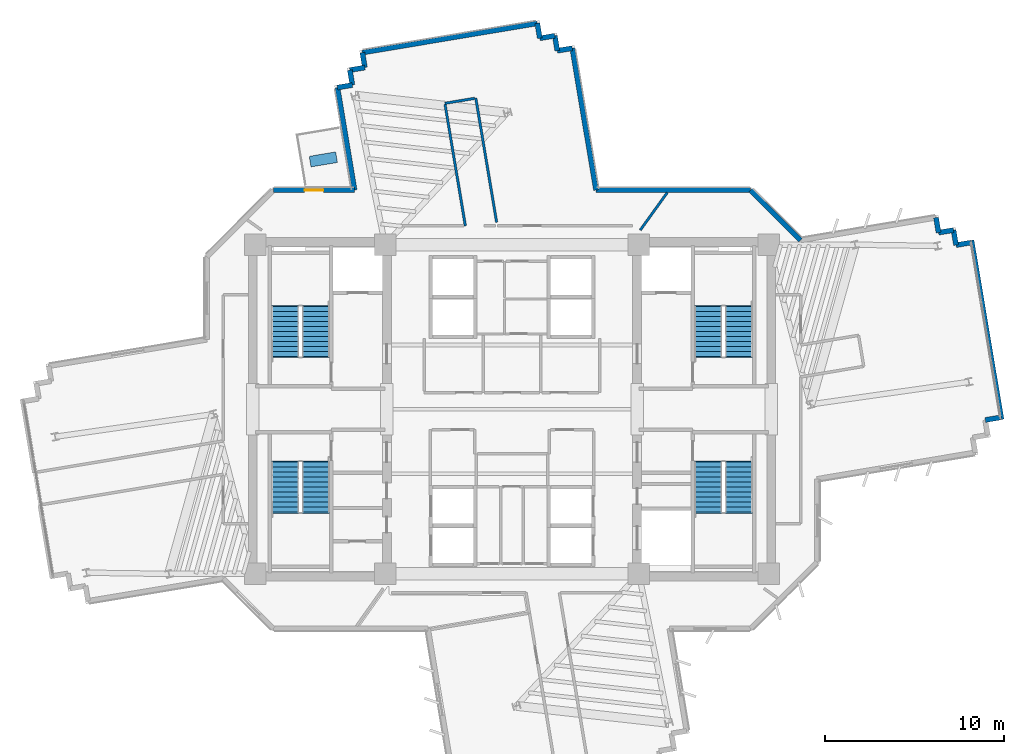
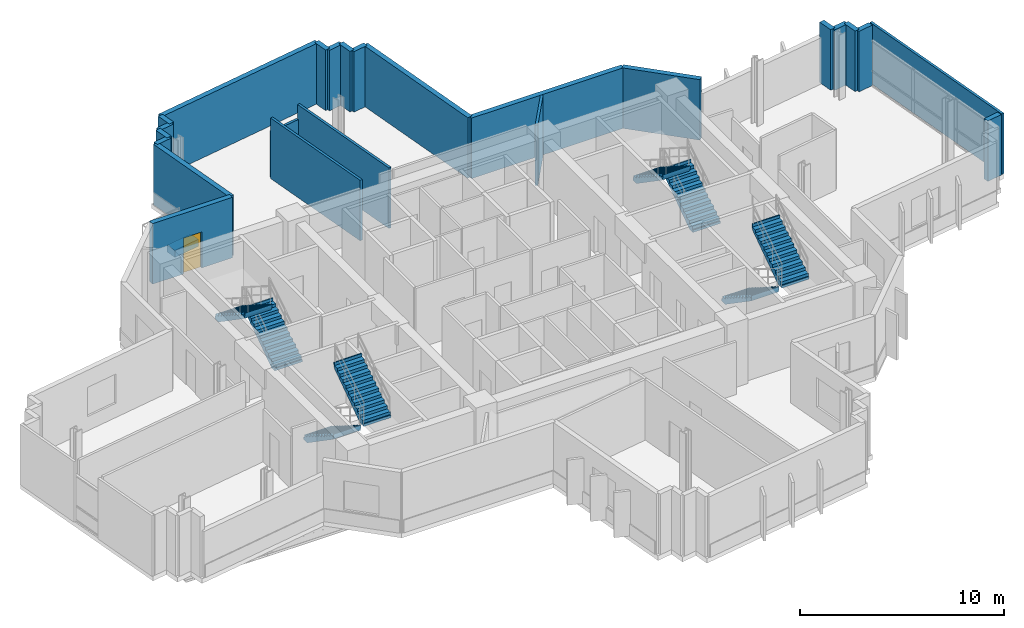
# One storey, part 11 of 15: 24 walls, 8 stair flights, 1 discrete accessory, 1 door, 1 opening, 4 elements without a shape of their own.
"""IFC4 building model written with IfcOpenShell, lengths in metres."""

from ifc_helpers import new_model, si_unit, direction, frame, frame_2d, origin, origin_2d, place, context, subcontext, project, spatial, polyline, rectangle, outline, extrude, source, transform, mapped, material, layer, layer_set, type_object, element, fill, aggregate, save


model = new_model("IFC4")

# Units and contexts
model_context = context("Model", 3, precision=1e-05, world=origin(), true_north=direction((0.0, 1.0)))
body_context = subcontext(model_context, "Body", "Model", "MODEL_VIEW")
ifc_project = project(units=[si_unit("LENGTHUNIT", "METRE"), si_unit("AREAUNIT", "SQUARE_METRE"), si_unit("VOLUMEUNIT", "CUBIC_METRE"), si_unit("PLANEANGLEUNIT", "RADIAN"), si_unit("MASSUNIT", "GRAM", prefix="KILO")], contexts=[model_context])

# Site, building, storey
site_placement = place(None, origin())
site = spatial("IfcSite", under=ifc_project, at=site_placement, CompositionType="ELEMENT")
building_placement = place(site_placement, origin())
building = spatial("IfcBuilding", under=site, at=building_placement, Name="Zahravan Cultural Tower", CompositionType="ELEMENT")
storey_placement = place(building_placement, frame((0.0, 0.0, 143.39990234375)))
storey = spatial("IfcBuildingStorey", under=building, at=storey_placement, Name="L32", CompositionType="ELEMENT", Elevation=143.39990234375)

# Wall, opening, door
ifc_material_1 = material(Name="Precast concrete C40/50", Category="concrete")
ifc_layer_1 = layer(ifc_material_1, 0.280029296875)
ifc_layer_set_1 = layer_set([ifc_layer_1], Name="Precast concrete C40/50")
wall_type_1 = type_object("IfcWallType", Name="EW-TC-280", PredefinedType="SOLIDWALL", material=ifc_layer_set_1)
wall_1_placement = place(storey_placement, frame((22.657958984375, 39.260009765625, 0.0), z_axis=(0.0, 0.0, 1.0), x_axis=(1.0, 0.0, 0.0)))
wall_1 = element("IfcWall", 1, at=wall_1_placement, inside=storey, type_object=wall_type_1, Name="L32 Exterior Masonry Frame Wall 39", PredefinedType="SOLIDWALL", context=body_context, shape_type="SweptSolid", body=[
    extrude(rectangle(XDim=4.537841796875, YDim=0.280029296875, at=frame_2d((2.26904296875, 0.0))), origin(), (0.0, 0.0, 1.0), 3.6201171875),
])
opening_placement = place(wall_1_placement, frame((1.743896484375, 0.0, 0.0)))
opening = element("IfcOpeningElement", 2, at=opening_placement, cuts=wall_1, Name="Opening D-L32-TR-NW", PredefinedType="OPENING", context=body_context, shape_type="SweptSolid", body=[
    extrude(rectangle(XDim=1.050048828125, YDim=2.14990234375, at=frame_2d((0.52490234375, 1.074951171875))), frame((0.0, 0.14990234375, 0.0), z_axis=(0.0, -1.0, 0.0), x_axis=(1.0, 0.0, 0.0)), (0.0, 0.0, 1.0), 0.300048828125),
])
ifc_material_2 = material(Name="Anodised bronze-aluminium mullion", Category="aluminium")
door_type = type_object("IfcDoorType", Name="DR-TERR-1050", OperationType="NOTDEFINED", PredefinedType="DOOR", material=ifc_material_2)
shared_shape_1 = source(origin(), body_context, "Body", "SweptSolid", [
    extrude(rectangle(XDim=1.050048828125, YDim=2.14990234375, at=frame_2d((0.52490234375, 1.074951171875))), frame((0.0, 0.02490234375, 0.0), z_axis=(0.0, -1.0, 0.0), x_axis=(1.0, 0.0, 0.0)), (0.0, 0.0, 1.0), 0.050048828125),
])
door_placement = place(opening_placement, origin())
door = element("IfcDoor", 3, at=door_placement, inside=storey, type_object=door_type, Name="L32 Terrace Access Door NW", OperationType="SINGLE_SWING_LEFT", OverallHeight=2.14990234375, OverallWidth=1.050048828125, PredefinedType="DOOR", context=body_context, shape_type="MappedRepresentation", body=[
    mapped(shared_shape_1, transform((0.0, 0.0, 0.0), x_axis=(1.0, 0.0, 0.0), y_axis=(0.0, 1.0, 0.0), z_axis=(0.0, 0.0, 1.0), scale=1.0)),
])
fill(opening, door)

# Walls
shared_shape_2 = source(origin(), body_context, "Body", "SweptSolid", [
    extrude(rectangle(XDim=0.85009765625, YDim=0.280029296875, at=frame_2d((0.425048828125, 0.0))), origin(), (0.0, 0.0, 1.0), 3.6201171875),
])
for number, where, z_axis, x_axis, name in (
    (4, (59.7158203125, 37.72119140625, 0.0), (0.0, 0.0, 1.0), (0.164864732418, -0.986316186628, 0.0), "L32 Exterior Masonry Frame Wall 02"),
    (5, (59.85595703125, 36.8828125, 0.0), (0.0, 0.0, 1.0), (0.986269444653, 0.16514412658, 0.0), "L32 Exterior Masonry Frame Wall 03"),
    (6, (60.6943359375, 37.023193359375, 0.0), (0.0, 0.0, 1.0), (0.16514412658, -0.986269444653, 0.0), "L32 Exterior Masonry Frame Wall 04"),
    (7, (60.834716796875, 36.184814453125, 0.0), (0.0, 0.0, 1.0), (0.986269444653, 0.16514412658, 0.0), "L32 Exterior Masonry Frame Wall 05"),
    (8, (63.310302734375, 26.541259765625, 0.0), (0.0, 0.0, 1.0), (-0.986269444653, -0.16514412658, 0.0), "L32 Exterior Masonry Frame Wall 06"),
    (9, (26.236083984375, 44.9951171875, 0.0), (0.0, 0.0, 1.0), (0.986269444653, 0.16514412658, 0.0), "L32 Exterior Masonry Frame Wall 41"),
    (10, (27.074462890625, 45.135498046875, 0.0), (0.0, 0.0, 1.0), (-0.16514412658, 0.986269444653, 0.0), "L32 Exterior Masonry Frame Wall 42"),
    (11, (26.93408203125, 45.973876953125, 0.0), (0.0, 0.0, 1.0), (0.986269444653, 0.16514412658, 0.0), "L32 Exterior Masonry Frame Wall 43"),
    (12, (37.416015625, 48.58984375, 0.0), (0.0, 0.0, 1.0), (0.16514412658, -0.986269444653, 0.0), "L32 Exterior Masonry Frame Wall 46"),
    (13, (37.556396484375, 47.75146484375, 0.0), (0.0, 0.0, 1.0), (0.986316186628, 0.164864732418, 0.0), "L32 Exterior Masonry Frame Wall 47"),
    (14, (38.534912109375, 47.053466796875, 0.0), (0.0, 0.0, 1.0), (0.986316186628, 0.164864732418, 0.0), "L32 Exterior Masonry Frame Wall 49"),
):
    element("IfcWall", number, at=place(storey_placement, frame(where, z_axis=z_axis, x_axis=x_axis)), inside=storey, type_object=wall_type_1, Name=name, PredefinedType="SOLIDWALL", context=body_context, shape_type="MappedRepresentation", body=[
        mapped(shared_shape_2, transform((0.0, 0.0, 0.0), x_axis=(1.0, 0.0, 0.0), y_axis=(0.0, 1.0, 0.0), z_axis=(0.0, 0.0, 1.0), scale=1.0)),
    ])
shared_shape_3 = source(origin(), body_context, "Body", "SweptSolid", [
    extrude(rectangle(XDim=0.849853515625, YDim=0.280029296875, at=frame_2d((0.4248046875, 0.0))), origin(), (0.0, 0.0, 1.0), 3.6201171875),
])
for number, where, z_axis, x_axis, name in (
    (15, (27.7724609375, 46.1142578125, 0.0), (0.0, 0.0, 1.0), (-0.165190918979, 0.986261608442, 0.0), "L32 Exterior Masonry Frame Wall 44"),
    (16, (38.394775390625, 47.8916015625, 0.0), (0.0, 0.0, 1.0), (0.164911450083, -0.986308376539, 0.0), "L32 Exterior Masonry Frame Wall 48"),
):
    element("IfcWall", number, at=place(storey_placement, frame(where, z_axis=z_axis, x_axis=x_axis)), inside=storey, type_object=wall_type_1, Name=name, PredefinedType="SOLIDWALL", context=body_context, shape_type="MappedRepresentation", body=[
        mapped(shared_shape_3, transform((0.0, 0.0, 0.0), x_axis=(1.0, 0.0, 0.0), y_axis=(0.0, 1.0, 0.0), z_axis=(0.0, 0.0, 1.0), scale=1.0)),
    ])
shared_shape_4 = source(origin(), body_context, "Body", "SweptSolid", [
    extrude(rectangle(XDim=9.919921875, YDim=0.280029296875, at=frame_2d((4.9599609375, 0.0))), origin(), (0.0, 0.0, 1.0), 3.6201171875),
])
wall_2_placement = place(storey_placement, frame((27.632080078125, 46.952392578125, 0.0), z_axis=(0.0, 0.0, 1.0), x_axis=(0.986282616944, 0.165065440096, 0.0)))
element("IfcWall", 17, at=wall_2_placement, inside=storey, type_object=wall_type_1, Name="L32 Exterior Masonry Frame Wall 45", PredefinedType="SOLIDWALL", context=body_context, shape_type="MappedRepresentation", body=[
    mapped(shared_shape_4, transform((0.0, 0.0, 0.0), x_axis=(1.0, 0.0, 0.0), y_axis=(0.0, 1.0, 0.0), z_axis=(0.0, 0.0, 1.0), scale=1.0)),
])
shared_shape_5 = source(origin(), body_context, "Body", "SweptSolid", [
    extrude(rectangle(XDim=8.64111328125, YDim=0.280029296875, at=frame_2d((4.320556640625, 0.0))), origin(), (0.0, 0.0, 1.0), 3.6201171875),
])
wall_3_placement = place(storey_placement, frame((40.700927734375, 39.260009765625, 0.0), z_axis=(0.0, 0.0, 1.0), x_axis=(1.0, 0.0, 0.0)))
element("IfcWall", 18, at=wall_3_placement, inside=storey, type_object=wall_type_1, Name="L32 Exterior Masonry Frame Wall 51", PredefinedType="SOLIDWALL", context=body_context, shape_type="MappedRepresentation", body=[
    mapped(shared_shape_5, transform((0.0, 0.0, 0.0), x_axis=(1.0, 0.0, 0.0), y_axis=(0.0, 1.0, 0.0), z_axis=(0.0, 0.0, 1.0), scale=1.0)),
])
shared_shape_6 = source(origin(), body_context, "Body", "SweptSolid", [
    extrude(rectangle(XDim=5.81494140625, YDim=0.280029296875, at=frame_2d((2.907470703125, 0.0))), origin(), (0.0, 0.0, 1.0), 3.6201171875),
])
wall_4_placement = place(storey_placement, frame((27.19580078125, 39.260009765625, 0.0), z_axis=(0.0, 0.0, 1.0), x_axis=(-0.165045758581, 0.986285910664, 0.0)))
element("IfcWall", 19, at=wall_4_placement, inside=storey, type_object=wall_type_1, Name="L32 Exterior Masonry Frame Wall 40", PredefinedType="SOLIDWALL", context=body_context, shape_type="MappedRepresentation", body=[
    mapped(shared_shape_6, transform((0.0, 0.0, 0.0), x_axis=(1.0, 0.0, 0.0), y_axis=(0.0, 1.0, 0.0), z_axis=(0.0, 0.0, 1.0), scale=1.0)),
])
shared_shape_7 = source(origin(), body_context, "Body", "SweptSolid", [
    extrude(rectangle(XDim=8.0439453125, YDim=0.280029296875, at=frame_2d((4.02197265625, 0.0))), origin(), (0.0, 0.0, 1.0), 3.6201171875),
])
wall_5_placement = place(storey_placement, frame((39.373291015625, 47.193603515625, 0.0), z_axis=(0.0, 0.0, 1.0), x_axis=(0.165048626668, -0.986285430712, 0.0)))
element("IfcWall", 20, at=wall_5_placement, inside=storey, type_object=wall_type_1, Name="L32 Exterior Masonry Frame Wall 50", PredefinedType="SOLIDWALL", context=body_context, shape_type="MappedRepresentation", body=[
    mapped(shared_shape_7, transform((0.0, 0.0, 0.0), x_axis=(1.0, 0.0, 0.0), y_axis=(0.0, 1.0, 0.0), z_axis=(0.0, 0.0, 1.0), scale=1.0)),
])
shared_shape_8 = source(origin(), body_context, "Body", "SweptSolid", [
    extrude(rectangle(XDim=3.96728515625, YDim=0.280029296875, at=frame_2d((1.983642578125, 0.0))), origin(), (0.0, 0.0, 1.0), 3.6201171875),
])
wall_6_placement = place(storey_placement, frame((49.342041015625, 39.260009765625, 0.0), z_axis=(0.0, 0.0, 1.0), x_axis=(0.707076011326, -0.707137549708, 0.0)))
element("IfcWall", 21, at=wall_6_placement, inside=storey, type_object=wall_type_1, Name="L32 Exterior Masonry Frame Wall 52", PredefinedType="SOLIDWALL", context=body_context, shape_type="MappedRepresentation", body=[
    mapped(shared_shape_8, transform((0.0, 0.0, 0.0), x_axis=(1.0, 0.0, 0.0), y_axis=(0.0, 1.0, 0.0), z_axis=(0.0, 0.0, 1.0), scale=1.0)),
])
ifc_material_3 = material(Name="Gypsum plasterboard partition")
ifc_layer_2 = layer(ifc_material_3, 0.139892578125)
ifc_layer_set_2 = layer_set([ifc_layer_2], Name="Gypsum plasterboard partition")
wall_type_2 = type_object("IfcWallType", Name="W-PART-140", PredefinedType="PARTITIONING", material=ifc_layer_set_2)
shared_shape_9 = source(origin(), body_context, "Body", "SweptSolid", [
    extrude(rectangle(XDim=7.041259765625, YDim=0.139892578125, at=frame_2d((3.5205078125, 0.0))), origin(), (0.0, 0.0, 1.0), 3.6201171875),
])
wall_7_placement = place(storey_placement, frame((35.1416015625, 37.45947265625, 0.0), z_axis=(0.0, 0.0, 1.0), x_axis=(-0.165703306215, 0.98617565084, 0.0)))
element("IfcWall", 22, at=wall_7_placement, inside=storey, type_object=wall_type_2, Name="L32 Interior Wall 107", PredefinedType="PARTITIONING", context=body_context, shape_type="MappedRepresentation", body=[
    mapped(shared_shape_9, transform((0.0, 0.0, 0.0), x_axis=(1.0, 0.0, 0.0), y_axis=(0.0, 1.0, 0.0), z_axis=(0.0, 0.0, 1.0), scale=1.0)),
])
shared_shape_10 = source(origin(), body_context, "Body", "SweptSolid", [
    extrude(rectangle(XDim=6.90283203125, YDim=0.139892578125, at=frame_2d((3.451416015625, 0.0))), origin(), (0.0, 0.0, 1.0), 3.6201171875),
])
wall_8_placement = place(storey_placement, frame((32.25390625, 44.068603515625, 0.0), z_axis=(0.0, 0.0, 1.0), x_axis=(0.164708688009, -0.986342257076, 0.0)))
element("IfcWall", 23, at=wall_8_placement, inside=storey, type_object=wall_type_2, Name="L32 Interior Wall 109", PredefinedType="PARTITIONING", context=body_context, shape_type="MappedRepresentation", body=[
    mapped(shared_shape_10, transform((0.0, 0.0, 0.0), x_axis=(1.0, 0.0, 0.0), y_axis=(0.0, 1.0, 0.0), z_axis=(0.0, 0.0, 1.0), scale=1.0)),
])
shared_shape_11 = source(origin(), body_context, "Body", "SweptSolid", [
    extrude(rectangle(XDim=2.58203125, YDim=0.139892578125, at=frame_2d((1.291015625, 0.0))), origin(), (0.0, 0.0, 1.0), 3.6201171875),
])
wall_9_placement = place(storey_placement, frame((44.680419921875, 39.114990234375, 0.0), z_axis=(0.0, 0.0, 1.0), x_axis=(-0.584533864389, -0.811369312572, 0.0)))
element("IfcWall", 24, at=wall_9_placement, inside=storey, type_object=wall_type_2, Name="L32 Interior Wall 111", PredefinedType="PARTITIONING", context=body_context, shape_type="MappedRepresentation", body=[
    mapped(shared_shape_11, transform((0.0, 0.0, 0.0), x_axis=(1.0, 0.0, 0.0), y_axis=(0.0, 1.0, 0.0), z_axis=(0.0, 0.0, 1.0), scale=1.0)),
])
shared_shape_12 = source(origin(), body_context, "Body", "SweptSolid", [
    extrude(rectangle(XDim=10.16015625, YDim=0.139892578125, at=frame_2d((5.080078125, 0.0))), origin(), (0.0, 0.0, 1.0), 3.6201171875),
])
wall_10_placement = place(storey_placement, frame((61.771484375, 36.46337890625, 0.0), z_axis=(0.0, 0.0, 1.0), x_axis=(0.165057484264, -0.986283948409, 0.0)))
element("IfcWall", 25, at=wall_10_placement, inside=storey, type_object=wall_type_2, Name="L32 Interior Wall 119", PredefinedType="PARTITIONING", context=body_context, shape_type="MappedRepresentation", body=[
    mapped(shared_shape_12, transform((0.0, 0.0, 0.0), x_axis=(1.0, 0.0, 0.0), y_axis=(0.0, 1.0, 0.0), z_axis=(0.0, 0.0, 1.0), scale=1.0)),
])
shared_shape_13 = source(origin(), body_context, "Body", "SweptSolid", [
    extrude(rectangle(XDim=1.677490234375, YDim=0.139892578125, at=frame_2d((0.8388671875, 0.0))), origin(), (0.0, 0.0, 1.0), 2.76220703125),
])
wall_11_placement = place(storey_placement, frame((33.90087890625, 44.390869140625, 0.0), z_axis=(0.0, 0.0, 1.0), x_axis=(-0.986164833546, -0.165767671991, 0.0)))
element("IfcWall", 26, at=wall_11_placement, inside=storey, type_object=wall_type_2, Name="L32 Interior Wall 108", PredefinedType="PARTITIONING", context=body_context, shape_type="MappedRepresentation", body=[
    mapped(shared_shape_13, transform((0.0, 0.0, 0.0), x_axis=(1.0, 0.0, 0.0), y_axis=(0.0, 1.0, 0.0), z_axis=(0.0, 0.0, 1.0), scale=1.0)),
])

# Stair, stair flights
ifc_material_4 = material(Name="Concrete C45/55", Category="concrete")
stair_type = type_object("IfcStairType", Name="STR-DL-1550-390", PredefinedType="HALF_TURN_STAIR", material=ifc_material_4)
stair_1_placement = place(storey_placement, origin())
stair_1 = element("IfcStair", 27, at=stair_1_placement, inside=storey, type_object=stair_type, Name="L32 West Core North Exit Stair ST-W1", PredefinedType="HALF_TURN_STAIR")
stair_flight_type = type_object("IfcStairFlightType", Name="FLG-DL-1550-390", PredefinedType="STRAIGHT", material=ifc_material_4)
stair_flight_1_placement = place(storey_placement, frame((25.02490234375, 29.949951171875, 0.0), z_axis=(0.0, 0.0, 1.0), x_axis=(0.0, 1.0, 0.0)))
stair_flight_1 = element("IfcStairFlight", 28, at=stair_flight_1_placement, type_object=stair_flight_type, Name="ST-W1 flight 1", NumberOfRisers=11, NumberOfTreads=10, PredefinedType="STRAIGHT", RiserHeight=0.177272727, TreadLength=0.28, context=body_context, shape_type="SweptSolid", body=[
    extrude(outline(polyline([(-0.06494140625, -0.139892578125), (-0.06494140625, 0.0), (0.0, 0.0), (0.0, 0.17724609375), (0.280029296875, 0.17724609375), (0.280029296875, 0.3544921875), (0.56005859375, 0.3544921875), (0.56005859375, 0.53173828125), (0.840087890625, 0.53173828125), (0.840087890625, 0.708984375), (1.1201171875, 0.708984375), (1.1201171875, 0.886474609375), (1.39990234375, 0.886474609375), (1.39990234375, 1.063720703125), (1.679931640625, 1.063720703125), (1.679931640625, 1.240966796875), (1.9599609375, 1.240966796875), (1.9599609375, 1.418212890625), (2.239990234375, 1.418212890625), (2.239990234375, 1.595458984375), (2.52001953125, 1.595458984375), (2.52001953125, 1.772705078125), (2.800048828125, 1.772705078125), (2.800048828125, 1.949951171875), (2.864990234375, 1.949951171875), (2.864990234375, 1.800048828125), (2.800048828125, 1.59521484375), (0.2802734375, -0.139892578125), (-0.06494140625, -0.139892578125)])), frame((0.0, 0.77490234375, 0.0), z_axis=(0.0, -1.0, 0.0), x_axis=(1.0, 0.0, 0.0)), (0.0, 0.0, 1.0), 1.550048828125),
])
stair_flight_2_placement = place(storey_placement, frame((23.324951171875, 32.75, 1.9501953125), z_axis=(0.0, 0.0, 1.0), x_axis=(0.0, -1.0, 0.0)))
stair_flight_2 = element("IfcStairFlight", 29, at=stair_flight_2_placement, type_object=stair_flight_type, Name="ST-W1 flight 2", NumberOfRisers=11, NumberOfTreads=10, PredefinedType="STRAIGHT", RiserHeight=0.177272727, TreadLength=0.28, context=body_context, shape_type="SweptSolid", body=[
    extrude(outline(polyline([(-0.06494140625, -0.139892578125), (-0.06494140625, 0.0), (0.0, 0.0), (0.0, 0.17724609375), (0.280029296875, 0.17724609375), (0.280029296875, 0.3544921875), (0.56005859375, 0.3544921875), (0.56005859375, 0.53173828125), (0.840087890625, 0.53173828125), (0.840087890625, 0.708984375), (1.1201171875, 0.708984375), (1.1201171875, 0.886474609375), (1.39990234375, 0.886474609375), (1.39990234375, 1.063720703125), (1.679931640625, 1.063720703125), (1.679931640625, 1.240966796875), (1.9599609375, 1.240966796875), (1.9599609375, 1.418212890625), (2.239990234375, 1.418212890625), (2.239990234375, 1.595458984375), (2.52001953125, 1.595458984375), (2.52001953125, 1.772705078125), (2.800048828125, 1.772705078125), (2.800048828125, 1.949951171875), (2.864990234375, 1.949951171875), (2.864990234375, 1.800048828125), (2.800048828125, 1.59521484375), (0.2802734375, -0.139892578125), (-0.06494140625, -0.139892578125)])), frame((0.0, 0.77490234375, 0.0), z_axis=(0.0, -1.0, 0.0), x_axis=(1.0, 0.0, 0.0)), (0.0, 0.0, 1.0), 1.550048828125),
])
aggregate(stair_1, [stair_flight_1, stair_flight_2])

stair_2_placement = place(storey_placement, origin())
stair_2 = element("IfcStair", 30, at=stair_2_placement, inside=storey, type_object=stair_type, Name="L32 West Core South Exit Stair ST-W2", PredefinedType="HALF_TURN_STAIR")
stair_flight_3_placement = place(storey_placement, frame((23.324951171875, 24.050048828125, 0.0), z_axis=(0.0, 0.0, 1.0), x_axis=(0.0, -1.0, 0.0)))
stair_flight_3 = element("IfcStairFlight", 31, at=stair_flight_3_placement, type_object=stair_flight_type, Name="ST-W2 flight 1", NumberOfRisers=11, NumberOfTreads=10, PredefinedType="STRAIGHT", RiserHeight=0.177272727, TreadLength=0.28, context=body_context, shape_type="SweptSolid", body=[
    extrude(outline(polyline([(-0.06494140625, -0.139892578125), (-0.06494140625, 0.0), (0.0, 0.0), (0.0, 0.17724609375), (0.280029296875, 0.17724609375), (0.280029296875, 0.3544921875), (0.56005859375, 0.3544921875), (0.56005859375, 0.53173828125), (0.840087890625, 0.53173828125), (0.840087890625, 0.708984375), (1.1201171875, 0.708984375), (1.1201171875, 0.886474609375), (1.39990234375, 0.886474609375), (1.39990234375, 1.063720703125), (1.679931640625, 1.063720703125), (1.679931640625, 1.240966796875), (1.9599609375, 1.240966796875), (1.9599609375, 1.418212890625), (2.239990234375, 1.418212890625), (2.239990234375, 1.595458984375), (2.52001953125, 1.595458984375), (2.52001953125, 1.772705078125), (2.800048828125, 1.772705078125), (2.800048828125, 1.949951171875), (2.864990234375, 1.949951171875), (2.864990234375, 1.800048828125), (2.800048828125, 1.59521484375), (0.2802734375, -0.139892578125), (-0.06494140625, -0.139892578125)])), frame((0.0, 0.77490234375, 0.0), z_axis=(0.0, -1.0, 0.0), x_axis=(1.0, 0.0, 0.0)), (0.0, 0.0, 1.0), 1.550048828125),
])
stair_flight_4_placement = place(storey_placement, frame((25.02490234375, 21.25, 1.9501953125), z_axis=(0.0, 0.0, 1.0), x_axis=(0.0, 1.0, 0.0)))
stair_flight_4 = element("IfcStairFlight", 32, at=stair_flight_4_placement, type_object=stair_flight_type, Name="ST-W2 flight 2", NumberOfRisers=11, NumberOfTreads=10, PredefinedType="STRAIGHT", RiserHeight=0.177272727, TreadLength=0.28, context=body_context, shape_type="SweptSolid", body=[
    extrude(outline(polyline([(-0.06494140625, -0.139892578125), (-0.06494140625, 0.0), (0.0, 0.0), (0.0, 0.17724609375), (0.280029296875, 0.17724609375), (0.280029296875, 0.3544921875), (0.56005859375, 0.3544921875), (0.56005859375, 0.53173828125), (0.840087890625, 0.53173828125), (0.840087890625, 0.708984375), (1.1201171875, 0.708984375), (1.1201171875, 0.886474609375), (1.39990234375, 0.886474609375), (1.39990234375, 1.063720703125), (1.679931640625, 1.063720703125), (1.679931640625, 1.240966796875), (1.9599609375, 1.240966796875), (1.9599609375, 1.418212890625), (2.239990234375, 1.418212890625), (2.239990234375, 1.595458984375), (2.52001953125, 1.595458984375), (2.52001953125, 1.772705078125), (2.800048828125, 1.772705078125), (2.800048828125, 1.949951171875), (2.864990234375, 1.949951171875), (2.864990234375, 1.800048828125), (2.800048828125, 1.59521484375), (0.2802734375, -0.139892578125), (-0.06494140625, -0.139892578125)])), frame((0.0, 0.77490234375, 0.0), z_axis=(0.0, -1.0, 0.0), x_axis=(1.0, 0.0, 0.0)), (0.0, 0.0, 1.0), 1.550048828125),
])
aggregate(stair_2, [stair_flight_3, stair_flight_4])

stair_3_placement = place(storey_placement, origin())
stair_3 = element("IfcStair", 33, at=stair_3_placement, inside=storey, type_object=stair_type, Name="L32 East Core North Exit Stair ST-E1", PredefinedType="HALF_TURN_STAIR")
stair_flight_5_placement = place(storey_placement, frame((48.675048828125, 29.949951171875, 0.0), z_axis=(0.0, 0.0, 1.0), x_axis=(0.0, 1.0, 0.0)))
stair_flight_5 = element("IfcStairFlight", 34, at=stair_flight_5_placement, type_object=stair_flight_type, Name="ST-E1 flight 1", NumberOfRisers=11, NumberOfTreads=10, PredefinedType="STRAIGHT", RiserHeight=0.177272727, TreadLength=0.28, context=body_context, shape_type="SweptSolid", body=[
    extrude(outline(polyline([(-0.06494140625, -0.139892578125), (-0.06494140625, 0.0), (0.0, 0.0), (0.0, 0.17724609375), (0.280029296875, 0.17724609375), (0.280029296875, 0.3544921875), (0.56005859375, 0.3544921875), (0.56005859375, 0.53173828125), (0.840087890625, 0.53173828125), (0.840087890625, 0.708984375), (1.1201171875, 0.708984375), (1.1201171875, 0.886474609375), (1.39990234375, 0.886474609375), (1.39990234375, 1.063720703125), (1.679931640625, 1.063720703125), (1.679931640625, 1.240966796875), (1.9599609375, 1.240966796875), (1.9599609375, 1.418212890625), (2.239990234375, 1.418212890625), (2.239990234375, 1.595458984375), (2.52001953125, 1.595458984375), (2.52001953125, 1.772705078125), (2.800048828125, 1.772705078125), (2.800048828125, 1.949951171875), (2.864990234375, 1.949951171875), (2.864990234375, 1.800048828125), (2.800048828125, 1.59521484375), (0.2802734375, -0.139892578125), (-0.06494140625, -0.139892578125)])), frame((0.0, 0.77490234375, 0.0), z_axis=(0.0, -1.0, 0.0), x_axis=(1.0, 0.0, 0.0)), (0.0, 0.0, 1.0), 1.550048828125),
])
stair_flight_6_placement = place(storey_placement, frame((46.97509765625, 32.75, 1.9501953125), z_axis=(0.0, 0.0, 1.0), x_axis=(0.0, -1.0, 0.0)))
stair_flight_6 = element("IfcStairFlight", 35, at=stair_flight_6_placement, type_object=stair_flight_type, Name="ST-E1 flight 2", NumberOfRisers=11, NumberOfTreads=10, PredefinedType="STRAIGHT", RiserHeight=0.177272727, TreadLength=0.28, context=body_context, shape_type="SweptSolid", body=[
    extrude(outline(polyline([(-0.06494140625, -0.139892578125), (-0.06494140625, 0.0), (0.0, 0.0), (0.0, 0.17724609375), (0.280029296875, 0.17724609375), (0.280029296875, 0.3544921875), (0.56005859375, 0.3544921875), (0.56005859375, 0.53173828125), (0.840087890625, 0.53173828125), (0.840087890625, 0.708984375), (1.1201171875, 0.708984375), (1.1201171875, 0.886474609375), (1.39990234375, 0.886474609375), (1.39990234375, 1.063720703125), (1.679931640625, 1.063720703125), (1.679931640625, 1.240966796875), (1.9599609375, 1.240966796875), (1.9599609375, 1.418212890625), (2.239990234375, 1.418212890625), (2.239990234375, 1.595458984375), (2.52001953125, 1.595458984375), (2.52001953125, 1.772705078125), (2.800048828125, 1.772705078125), (2.800048828125, 1.949951171875), (2.864990234375, 1.949951171875), (2.864990234375, 1.800048828125), (2.800048828125, 1.59521484375), (0.2802734375, -0.139892578125), (-0.06494140625, -0.139892578125)])), frame((0.0, 0.77490234375, 0.0), z_axis=(0.0, -1.0, 0.0), x_axis=(1.0, 0.0, 0.0)), (0.0, 0.0, 1.0), 1.550048828125),
])
aggregate(stair_3, [stair_flight_5, stair_flight_6])

stair_4_placement = place(storey_placement, origin())
stair_4 = element("IfcStair", 36, at=stair_4_placement, inside=storey, type_object=stair_type, Name="L32 East Core South Exit Stair ST-E2", PredefinedType="HALF_TURN_STAIR")
stair_flight_7_placement = place(storey_placement, frame((46.97509765625, 24.050048828125, 0.0), z_axis=(0.0, 0.0, 1.0), x_axis=(0.0, -1.0, 0.0)))
stair_flight_7 = element("IfcStairFlight", 37, at=stair_flight_7_placement, type_object=stair_flight_type, Name="ST-E2 flight 1", NumberOfRisers=11, NumberOfTreads=10, PredefinedType="STRAIGHT", RiserHeight=0.177272727, TreadLength=0.28, context=body_context, shape_type="SweptSolid", body=[
    extrude(outline(polyline([(-0.06494140625, -0.139892578125), (-0.06494140625, 0.0), (0.0, 0.0), (0.0, 0.17724609375), (0.280029296875, 0.17724609375), (0.280029296875, 0.3544921875), (0.56005859375, 0.3544921875), (0.56005859375, 0.53173828125), (0.840087890625, 0.53173828125), (0.840087890625, 0.708984375), (1.1201171875, 0.708984375), (1.1201171875, 0.886474609375), (1.39990234375, 0.886474609375), (1.39990234375, 1.063720703125), (1.679931640625, 1.063720703125), (1.679931640625, 1.240966796875), (1.9599609375, 1.240966796875), (1.9599609375, 1.418212890625), (2.239990234375, 1.418212890625), (2.239990234375, 1.595458984375), (2.52001953125, 1.595458984375), (2.52001953125, 1.772705078125), (2.800048828125, 1.772705078125), (2.800048828125, 1.949951171875), (2.864990234375, 1.949951171875), (2.864990234375, 1.800048828125), (2.800048828125, 1.59521484375), (0.2802734375, -0.139892578125), (-0.06494140625, -0.139892578125)])), frame((0.0, 0.77490234375, 0.0), z_axis=(0.0, -1.0, 0.0), x_axis=(1.0, 0.0, 0.0)), (0.0, 0.0, 1.0), 1.550048828125),
])
stair_flight_8_placement = place(storey_placement, frame((48.675048828125, 21.25, 1.9501953125), z_axis=(0.0, 0.0, 1.0), x_axis=(0.0, 1.0, 0.0)))
stair_flight_8 = element("IfcStairFlight", 38, at=stair_flight_8_placement, type_object=stair_flight_type, Name="ST-E2 flight 2", NumberOfRisers=11, NumberOfTreads=10, PredefinedType="STRAIGHT", RiserHeight=0.177272727, TreadLength=0.28, context=body_context, shape_type="SweptSolid", body=[
    extrude(outline(polyline([(-0.06494140625, -0.139892578125), (-0.06494140625, 0.0), (0.0, 0.0), (0.0, 0.17724609375), (0.280029296875, 0.17724609375), (0.280029296875, 0.3544921875), (0.56005859375, 0.3544921875), (0.56005859375, 0.53173828125), (0.840087890625, 0.53173828125), (0.840087890625, 0.708984375), (1.1201171875, 0.708984375), (1.1201171875, 0.886474609375), (1.39990234375, 0.886474609375), (1.39990234375, 1.063720703125), (1.679931640625, 1.063720703125), (1.679931640625, 1.240966796875), (1.9599609375, 1.240966796875), (1.9599609375, 1.418212890625), (2.239990234375, 1.418212890625), (2.239990234375, 1.595458984375), (2.52001953125, 1.595458984375), (2.52001953125, 1.772705078125), (2.800048828125, 1.772705078125), (2.800048828125, 1.949951171875), (2.864990234375, 1.949951171875), (2.864990234375, 1.800048828125), (2.800048828125, 1.59521484375), (0.2802734375, -0.139892578125), (-0.06494140625, -0.139892578125)])), frame((0.0, 0.77490234375, 0.0), z_axis=(0.0, -1.0, 0.0), x_axis=(1.0, 0.0, 0.0)), (0.0, 0.0, 1.0), 1.550048828125),
])
aggregate(stair_4, [stair_flight_7, stair_flight_8])

# Discrete accessory
ifc_material_5 = material(Name="Planted soil and terracotta planter", Category="masonry")
discrete_accessory_type = type_object("IfcDiscreteAccessoryType", Name="ACC-PLANTER-TC", PredefinedType="USERDEFINED", material=ifc_material_5)
shared_shape_14 = source(origin(), body_context, "Body", "SweptSolid", [
    extrude(rectangle(XDim=1.5, YDim=0.60009765625, at=origin_2d()), origin(), (0.0, 0.0, 1.0), 0.419921875),
])
discrete_accessory_placement = place(storey_placement, frame((25.446044921875, 40.975830078125, 0.000244140625), z_axis=(0.0, 0.0, 1.0), x_axis=(0.986285601537, 0.165047605861, 0.0)))
element("IfcDiscreteAccessory", 39, at=discrete_accessory_placement, inside=storey, type_object=discrete_accessory_type, Name="L32 Terracotta Sculpture Planter NW", ObjectType="PLANTER", PredefinedType="USERDEFINED", context=body_context, shape_type="MappedRepresentation", body=[
    mapped(shared_shape_14, transform((0.0, 0.0, 0.0), x_axis=(1.0, 0.0, 0.0), y_axis=(0.0, 1.0, 0.0), z_axis=(0.0, 0.0, 1.0), scale=1.0)),
])

save(model, "model.ifc")
